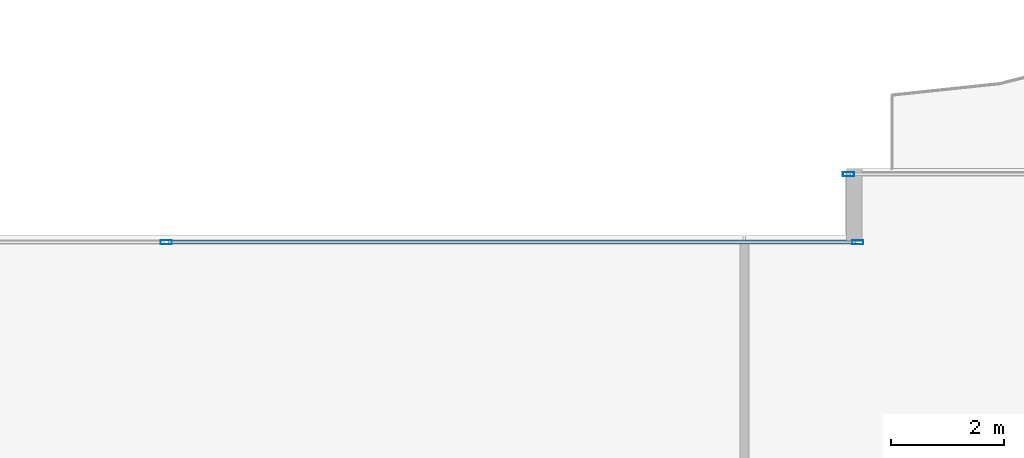
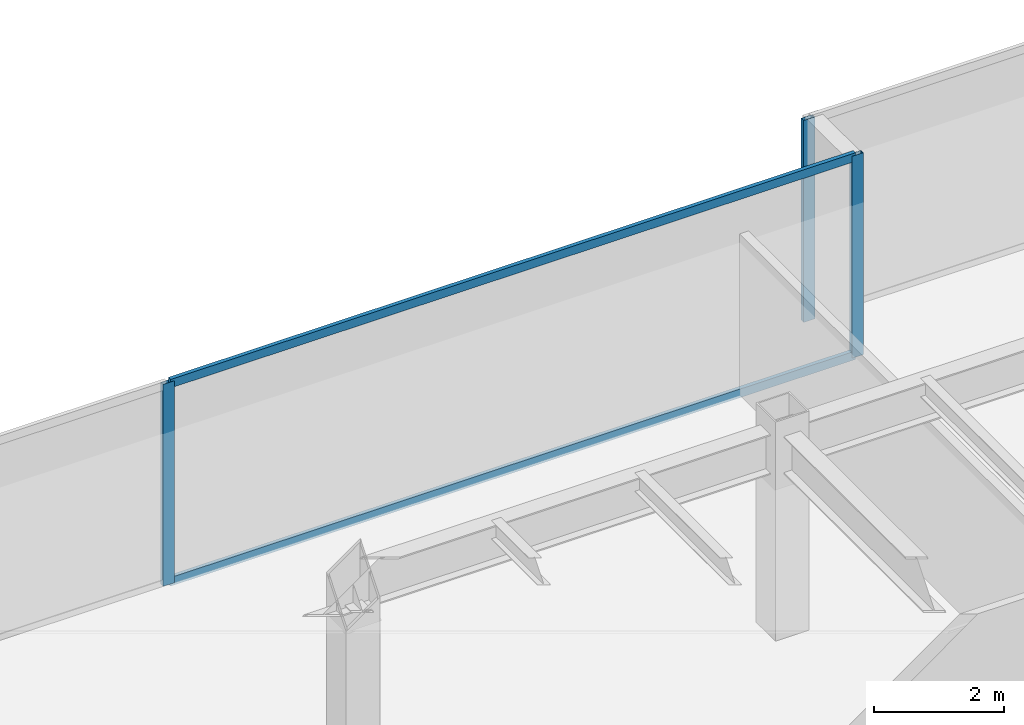
# One storey, part 18 of 32: 5 members, 2 elements without a shape of their own.
"""IFC4 building model written with IfcOpenShell, lengths in metres."""

from ifc_helpers import new_model, si_unit, direction, frame, origin, origin_2d, place, context, subcontext, project, spatial, hollow_rectangle, extrude, source, transform, mapped, material, layer, layer_set, material_profile, profile_set, type_object, type_shapes, element, aggregate, save


model = new_model("IFC4")

# Units and contexts
model_context = context("Model", 3, precision=1e-05, world=origin(), true_north=direction((0.0, 1.0)))
body_context = subcontext(model_context, "Body", "Model", "MODEL_VIEW")
ifc_project = project(units=[si_unit("LENGTHUNIT", "METRE"), si_unit("AREAUNIT", "SQUARE_METRE"), si_unit("VOLUMEUNIT", "CUBIC_METRE"), si_unit("PLANEANGLEUNIT", "RADIAN"), si_unit("MASSUNIT", "GRAM", prefix="KILO")], contexts=[model_context])

# Site, building, storey
site_placement = place(None, origin())
site = spatial("IfcSite", under=ifc_project, at=site_placement, CompositionType="ELEMENT")
building_placement = place(site_placement, origin())
building = spatial("IfcBuilding", under=site, at=building_placement, Name="Haelvirn Gate Laboratories", CompositionType="ELEMENT")
storey_placement = place(building_placement, frame((0.0, 0.0, 33.39990234375)))
storey = spatial("IfcBuildingStorey", under=building, at=storey_placement, Name="L08", CompositionType="ELEMENT", Elevation=33.39990234375)

# Curtain wall, member
ifc_material_1 = material(Name="Anodised bronze unitised aluminium & triple low-E glass", Category="aluminium")
ifc_layer = layer(ifc_material_1, 0.18408203125, Name="CW-SYS-2")
ifc_layer_set = layer_set([ifc_layer], Name="Anodised bronze unitised aluminium & triple low-E glass")
curtain_wall_type = type_object("IfcCurtainWallType", Name="CW-SYS-2", PredefinedType="NOTDEFINED", material=ifc_layer_set)
curtain_wall_1_placement = place(storey_placement, origin())
curtain_wall_1 = element("IfcCurtainWall", 1, at=curtain_wall_1_placement, inside=storey, type_object=curtain_wall_type, Name="L08 Unitised Curtain Wall CW-L08-P0-E10-1", PredefinedType="NOTDEFINED")
ifc_material_2 = material(Name="Extruded aluminium 6063-T6 (anodised bronze)", Category="aluminium")
ifc_material_profile_1 = material_profile(ifc_material_2, hollow_rectangle(XDim=0.074951171875, YDim=0.199951171875, WallThickness=0.0048828125, at=origin_2d()), Name="CWM-200x75x5")
ifc_profile_set_1 = profile_set([ifc_material_profile_1], Name="Extruded aluminium 6063-T6 (anodised bronze)")
member_type_1 = type_object("IfcMemberType", Name="CWM-T200", PredefinedType="MULLION", material=ifc_profile_set_1)
shared_shape_1 = source(origin(), body_context, "Body", "SweptSolid", [
    extrude(hollow_rectangle(XDim=0.074951171875, YDim=0.199951171875, WallThickness=0.0048828125, at=origin_2d()), origin(), (0.0, 0.0, 1.0), 3.780029296875),
])
type_shapes(member_type_1, [shared_shape_1])
member_1_placement = place(storey_placement, frame((49.4375, 48.5, 0.0), z_axis=(0.0, 0.0, 1.0), x_axis=(0.0, 1.0, 0.0)))
member_1 = element("IfcMember", 2, at=member_1_placement, type_object=member_type_1, Name="CW2 mullion 1", PredefinedType="MULLION", context=body_context, shape_type="MappedRepresentation", body=[
    mapped(shared_shape_1, transform((0.0, 0.0, 0.0), scale=1.0)),
])
aggregate(curtain_wall_1, [member_1])

# Curtain wall, members
curtain_wall_2_placement = place(storey_placement, origin())
curtain_wall_2 = element("IfcCurtainWall", 3, at=curtain_wall_2_placement, inside=storey, type_object=curtain_wall_type, Name="L08 Unitised Curtain Wall CW-L08-P0-E12-1", PredefinedType="NOTDEFINED")
member_2_placement = place(storey_placement, frame((37.39990234375, 47.300048828125, 0.0), z_axis=(0.0, 0.0, 1.0), x_axis=(0.0, 1.0, 0.0)))
member_2 = element("IfcMember", 4, at=member_2_placement, type_object=member_type_1, Name="CW2 mullion 2", PredefinedType="MULLION", context=body_context, shape_type="MappedRepresentation", body=[
    mapped(shared_shape_1, transform((0.0, 0.0, 0.0), scale=1.0)),
])
member_3_placement = place(storey_placement, frame((49.6025390625, 47.300048828125, 0.0), z_axis=(0.0, 0.0, 1.0), x_axis=(0.0, 1.0, 0.0)))
member_3 = element("IfcMember", 5, at=member_3_placement, type_object=member_type_1, Name="CW2 mullion 3", PredefinedType="MULLION", context=body_context, shape_type="MappedRepresentation", body=[
    mapped(shared_shape_1, transform((0.0, 0.0, 0.0), scale=1.0)),
])
ifc_material_profile_2 = material_profile(ifc_material_2, hollow_rectangle(XDim=0.070068359375, YDim=0.159912109375, WallThickness=0.0048828125, at=origin_2d()), Name="CWT-160x70x5")
ifc_profile_set_2 = profile_set([ifc_material_profile_2], Name="Extruded aluminium 6063-T6 (anodised bronze)")
member_type_2 = type_object("IfcMemberType", Name="CWT-T160", PredefinedType="USERDEFINED", material=ifc_profile_set_2)
shared_shape_2 = source(origin(), body_context, "Body", "SweptSolid", [
    extrude(hollow_rectangle(XDim=0.070068359375, YDim=0.159912109375, WallThickness=0.0048828125, at=origin_2d()), origin(), (0.0, 0.0, 1.0), 12.12744140625),
])
type_shapes(member_type_2, [shared_shape_2])
member_4_placement = place(storey_placement, frame((37.4375, 47.300048828125, 0.03515625), z_axis=(1.0, 0.0, 0.0), x_axis=(0.0, 1.0, 0.0)))
member_4 = element("IfcMember", 6, at=member_4_placement, type_object=member_type_2, Name="CW2 transom 2.1", ObjectType="TRANSOM", PredefinedType="USERDEFINED", context=body_context, shape_type="MappedRepresentation", body=[
    mapped(shared_shape_2, transform((0.0, 0.0, 0.0), scale=1.0)),
])
member_5_placement = place(storey_placement, frame((37.4375, 47.300048828125, 3.7451171875), z_axis=(1.0, 0.0, 0.0), x_axis=(0.0, 1.0, 0.0)))
member_5 = element("IfcMember", 7, at=member_5_placement, type_object=member_type_2, Name="CW2 transom 2.2", ObjectType="TRANSOM", PredefinedType="USERDEFINED", context=body_context, shape_type="MappedRepresentation", body=[
    mapped(shared_shape_2, transform((0.0, 0.0, 0.0), scale=1.0)),
])
aggregate(curtain_wall_2, [member_2, member_3, member_4, member_5])

save(model, "model.ifc")
